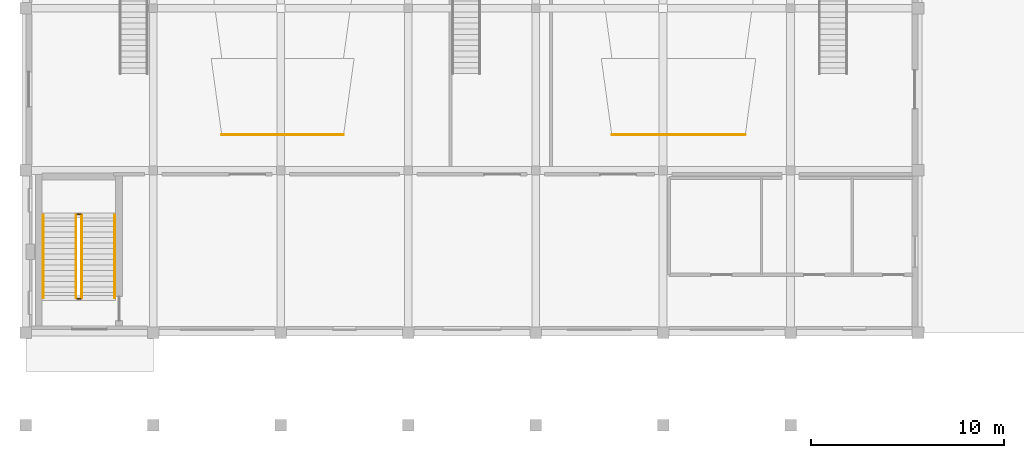
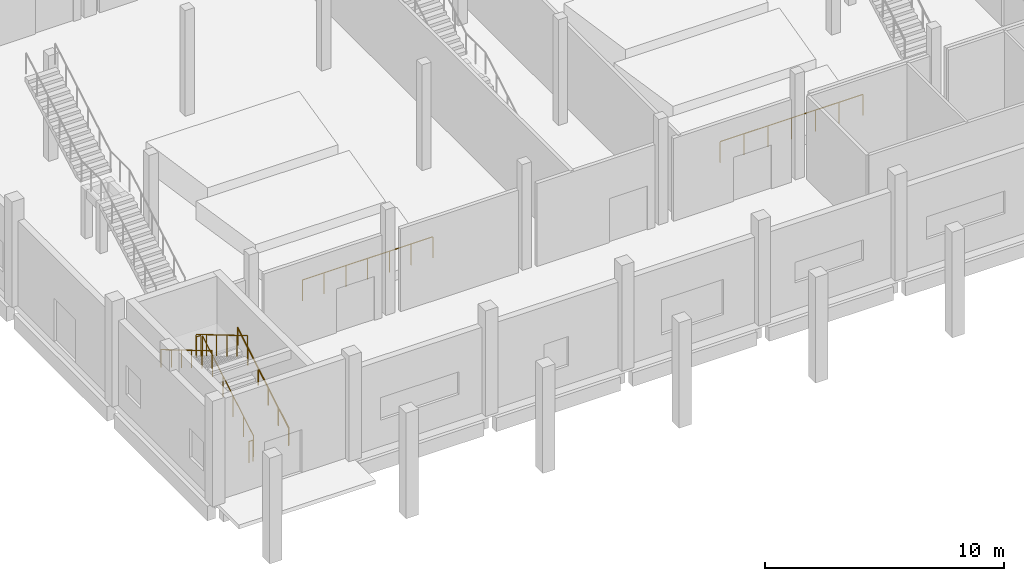
# One storey, part 55 of 64: 8 railings.
"""IFC4 building model written with IfcOpenShell, lengths in metres."""

from ifc_helpers import new_model, si_unit, direction, frame, origin, origin_2d, place, context, subcontext, project, spatial, circle, extrude, material, type_object, element, save


model = new_model("IFC4")

# Units and contexts
model_context = context("Model", 3, precision=1e-05, world=origin(), true_north=direction((0.0, 1.0)))
body_context = subcontext(model_context, "Body", "Model", "MODEL_VIEW")
ifc_project = project(units=[si_unit("LENGTHUNIT", "METRE"), si_unit("AREAUNIT", "SQUARE_METRE"), si_unit("VOLUMEUNIT", "CUBIC_METRE"), si_unit("PLANEANGLEUNIT", "RADIAN"), si_unit("MASSUNIT", "GRAM", prefix="KILO")], contexts=[model_context])

# Site, building, storey
site_placement = place(None, origin())
site = spatial("IfcSite", under=ifc_project, at=site_placement, CompositionType="ELEMENT")
building_placement = place(site_placement, origin())
building = spatial("IfcBuilding", under=site, at=building_placement, Name="Qaldarim Faculty of Natural and Applied Sciences", CompositionType="ELEMENT")
storey_placement = place(building_placement, origin())
storey = spatial("IfcBuildingStorey", under=building, at=storey_placement, Name="L00", CompositionType="ELEMENT", Elevation=0.0)

# Railings
ifc_material = material(Name="Architectural stainless steel 316", Category="steel")
railing_type_1 = type_object("IfcRailingType", Name="GuardBalustrade-1100", PredefinedType="BALUSTRADE", material=ifc_material)
railing_1_placement = place(storey_placement, frame((10.14990234375, 27.050048828125, 0.47998046875)))
element("IfcRailing", 1, at=railing_1_placement, inside=storey, type_object=railing_type_1, Name="Safety guard balustrade GRD-TIER-L00-1", PredefinedType="BALUSTRADE", context=body_context, shape_type="SweptSolid", body=[
    extrude(circle(Radius=0.02392578125, at=origin_2d()), frame((0.0, 0.0, 1.076171875), z_axis=(1.0, 0.0, 0.0), x_axis=(0.0, 1.0, 0.0)), (0.0, 0.0, 1.0), 6.300048828125),
    extrude(circle(Radius=0.02099609375, at=origin_2d()), origin(), (0.0, 0.0, 1.0), 1.052001953125),
    extrude(circle(Radius=0.02099609375, at=origin_2d()), frame((1.050048828125, 0.0, 0.0)), (0.0, 0.0, 1.0), 1.052001953125),
    extrude(circle(Radius=0.02099609375, at=origin_2d()), frame((2.10009765625, 0.0, 0.0)), (0.0, 0.0, 1.0), 1.052001953125),
    extrude(circle(Radius=0.02099609375, at=origin_2d()), frame((3.14990234375, 0.0, 0.0)), (0.0, 0.0, 1.0), 1.052001953125),
    extrude(circle(Radius=0.02099609375, at=origin_2d()), frame((4.199951171875, 0.0, 0.0)), (0.0, 0.0, 1.0), 1.052001953125),
    extrude(circle(Radius=0.02099609375, at=origin_2d()), frame((5.25, 0.0, 0.0)), (0.0, 0.0, 1.0), 1.052001953125),
    extrude(circle(Radius=0.02099609375, at=origin_2d()), frame((6.300048828125, 0.0, 0.0)), (0.0, 0.0, 1.0), 1.052001953125),
])
railing_2_placement = place(storey_placement, frame((30.35009765625, 27.050048828125, 0.47998046875)))
element("IfcRailing", 2, at=railing_2_placement, inside=storey, type_object=railing_type_1, Name="Safety guard balustrade GRD-TIER-L00-2", PredefinedType="BALUSTRADE", context=body_context, shape_type="SweptSolid", body=[
    extrude(circle(Radius=0.02392578125, at=origin_2d()), frame((0.0, 0.0, 1.076171875), z_axis=(1.0, 0.0, 0.0), x_axis=(0.0, 1.0, 0.0)), (0.0, 0.0, 1.0), 6.89990234375),
    extrude(circle(Radius=0.02099609375, at=origin_2d()), origin(), (0.0, 0.0, 1.0), 1.052001953125),
    extrude(circle(Radius=0.02099609375, at=origin_2d()), frame((1.14990234375, 0.0, 0.0)), (0.0, 0.0, 1.0), 1.052001953125),
    extrude(circle(Radius=0.02099609375, at=origin_2d()), frame((2.300048828125, 0.0, 0.0)), (0.0, 0.0, 1.0), 1.052001953125),
    extrude(circle(Radius=0.02099609375, at=origin_2d()), frame((3.449951171875, 0.0, 0.0)), (0.0, 0.0, 1.0), 1.052001953125),
    extrude(circle(Radius=0.02099609375, at=origin_2d()), frame((4.599853515625, 0.0, 0.0)), (0.0, 0.0, 1.0), 1.052001953125),
    extrude(circle(Radius=0.02099609375, at=origin_2d()), frame((5.75, 0.0, 0.0)), (0.0, 0.0, 1.0), 1.052001953125),
    extrude(circle(Radius=0.02099609375, at=origin_2d()), frame((6.89990234375, 0.0, 0.0)), (0.0, 0.0, 1.0), 1.052001953125),
])
railing_3_placement = place(storey_placement, frame((2.89990234375, 18.60009765625, 0.169921875)))
element("IfcRailing", 3, at=railing_3_placement, inside=storey, type_object=railing_type_1, Name="ST-D1 L00 stair well guard 1", PredefinedType="BALUSTRADE", context=body_context, shape_type="SweptSolid", body=[
    extrude(circle(Radius=0.02392578125, at=origin_2d()), frame((0.0, 0.0, 1.076171875), z_axis=(0.0, 0.860578001716, 0.509318665436), x_axis=(-1.0, 0.0, 0.0)), (0.0, 0.0, 1.0), 4.967529296875),
    extrude(circle(Radius=0.02099609375, at=origin_2d()), origin(), (0.0, 0.0, 1.0), 1.052001953125),
    extrude(circle(Radius=0.02099609375, at=origin_2d()), frame((0.0, 0.85498046875, 0.506103515625)), (0.0, 0.0, 1.0), 1.052001953125),
    extrude(circle(Radius=0.02099609375, at=origin_2d()), frame((0.0, 1.7099609375, 1.011962890625)), (0.0, 0.0, 1.0), 1.052001953125),
    extrude(circle(Radius=0.02099609375, at=origin_2d()), frame((0.0, 2.56494140625, 1.51806640625)), (0.0, 0.0, 1.0), 1.052001953125),
    extrude(circle(Radius=0.02099609375, at=origin_2d()), frame((0.0, 3.419921875, 2.02392578125)), (0.0, 0.0, 1.0), 1.052001953125),
    extrude(circle(Radius=0.02099609375, at=origin_2d()), frame((0.0, 4.27490234375, 2.530029296875)), (0.0, 0.0, 1.0), 1.052001953125),
])
railing_4_placement = place(storey_placement, frame((2.85009765625, 22.925048828125, 2.699951171875)))
element("IfcRailing", 4, at=railing_4_placement, inside=storey, type_object=railing_type_1, Name="ST-D1 L00 stair well guard 2", PredefinedType="BALUSTRADE", context=body_context, shape_type="SweptSolid", body=[
    extrude(circle(Radius=0.02392578125, at=origin_2d()), frame((0.0, 0.0, 1.076171875), z_axis=(-1.0, 0.0, 0.0), x_axis=(0.0, -1.0, 0.0)), (0.0, 0.0, 1.0), 0.2001953125),
    extrude(circle(Radius=0.02099609375, at=origin_2d()), origin(), (0.0, 0.0, 1.0), 1.052001953125),
    extrude(circle(Radius=0.02099609375, at=origin_2d()), frame((-0.2001953125, 0.0, 0.0)), (0.0, 0.0, 1.0), 1.052001953125),
])
railing_5_placement = place(storey_placement, frame((2.60009765625, 22.875, 2.8701171875)))
element("IfcRailing", 5, at=railing_5_placement, inside=storey, type_object=railing_type_1, Name="ST-D1 L00 stair well guard 3", PredefinedType="BALUSTRADE", context=body_context, shape_type="SweptSolid", body=[
    extrude(circle(Radius=0.02392578125, at=origin_2d()), frame((0.0, 0.0, 1.076171875), z_axis=(0.0, -0.860599543382, 0.509282265478), x_axis=(1.0, 0.0, 0.0)), (0.0, 0.0, 1.0), 4.96728515625),
    extrude(circle(Radius=0.02099609375, at=origin_2d()), origin(), (0.0, 0.0, 1.0), 1.052001953125),
    extrude(circle(Radius=0.02099609375, at=origin_2d()), frame((0.0, -0.85498046875, 0.505859375)), (0.0, 0.0, 1.0), 1.052001953125),
    extrude(circle(Radius=0.02099609375, at=origin_2d()), frame((0.0, -1.7099609375, 1.011962890625)), (0.0, 0.0, 1.0), 1.052001953125),
    extrude(circle(Radius=0.02099609375, at=origin_2d()), frame((0.0, -2.56494140625, 1.517822265625)), (0.0, 0.0, 1.0), 1.052001953125),
    extrude(circle(Radius=0.02099609375, at=origin_2d()), frame((0.0, -3.419921875, 2.02392578125)), (0.0, 0.0, 1.0), 1.052001953125),
    extrude(circle(Radius=0.02099609375, at=origin_2d()), frame((0.0, -4.27490234375, 2.52978515625)), (0.0, 0.0, 1.0), 1.052001953125),
])
railing_6_placement = place(storey_placement, frame((2.85009765625, 18.550048828125, 0.0)))
element("IfcRailing", 6, at=railing_6_placement, inside=storey, type_object=railing_type_1, Name="ST-D1 L00 stair well guard 4", PredefinedType="BALUSTRADE", context=body_context, shape_type="SweptSolid", body=[
    extrude(circle(Radius=0.02392578125, at=origin_2d()), frame((0.0, 0.0, 1.076171875), z_axis=(-1.0, 0.0, 0.0), x_axis=(0.0, -1.0, 0.0)), (0.0, 0.0, 1.0), 0.2001953125),
    extrude(circle(Radius=0.02099609375, at=origin_2d()), origin(), (0.0, 0.0, 1.0), 1.052001953125),
    extrude(circle(Radius=0.02099609375, at=origin_2d()), frame((-0.2001953125, 0.0, 0.0)), (0.0, 0.0, 1.0), 1.052001953125),
])
railing_type_2 = type_object("IfcRailingType", Name="StairHandrail-920", PredefinedType="HANDRAIL", material=ifc_material)
railing_7_placement = place(storey_placement, frame((4.60009765625, 18.60009765625, 0.169921875)))
element("IfcRailing", 7, at=railing_7_placement, inside=storey, type_object=railing_type_2, Name="ST-D1 L00 stair handrail 1", PredefinedType="HANDRAIL", context=body_context, shape_type="SweptSolid", body=[
    extrude(circle(Radius=0.02392578125, at=origin_2d()), frame((0.0, 0.0, 0.89599609375), z_axis=(0.0, 0.860578001716, 0.509318665436), x_axis=(-1.0, 0.0, 0.0)), (0.0, 0.0, 1.0), 4.967529296875),
    extrude(circle(Radius=0.02099609375, at=origin_2d()), origin(), (0.0, 0.0, 1.0), 0.871826171875),
    extrude(circle(Radius=0.02099609375, at=origin_2d()), frame((0.0, 0.85498046875, 0.506103515625)), (0.0, 0.0, 1.0), 0.871826171875),
    extrude(circle(Radius=0.02099609375, at=origin_2d()), frame((0.0, 1.7099609375, 1.011962890625)), (0.0, 0.0, 1.0), 0.871826171875),
    extrude(circle(Radius=0.02099609375, at=origin_2d()), frame((0.0, 2.56494140625, 1.51806640625)), (0.0, 0.0, 1.0), 0.871826171875),
    extrude(circle(Radius=0.02099609375, at=origin_2d()), frame((0.0, 3.419921875, 2.02392578125)), (0.0, 0.0, 1.0), 0.871826171875),
    extrude(circle(Radius=0.02099609375, at=origin_2d()), frame((0.0, 4.27490234375, 2.530029296875)), (0.0, 0.0, 1.0), 0.871826171875),
])
railing_8_placement = place(storey_placement, frame((0.89990234375, 22.875, 2.8701171875)))
element("IfcRailing", 8, at=railing_8_placement, inside=storey, type_object=railing_type_2, Name="ST-D1 L00 stair handrail 2", PredefinedType="HANDRAIL", context=body_context, shape_type="SweptSolid", body=[
    extrude(circle(Radius=0.02392578125, at=origin_2d()), frame((0.0, 0.0, 0.89599609375), z_axis=(0.0, -0.860599543382, 0.509282265478), x_axis=(1.0, 0.0, 0.0)), (0.0, 0.0, 1.0), 4.96728515625),
    extrude(circle(Radius=0.02099609375, at=origin_2d()), origin(), (0.0, 0.0, 1.0), 0.871826171875),
    extrude(circle(Radius=0.02099609375, at=origin_2d()), frame((0.0, -0.85498046875, 0.505859375)), (0.0, 0.0, 1.0), 0.871826171875),
    extrude(circle(Radius=0.02099609375, at=origin_2d()), frame((0.0, -1.7099609375, 1.011962890625)), (0.0, 0.0, 1.0), 0.871826171875),
    extrude(circle(Radius=0.02099609375, at=origin_2d()), frame((0.0, -2.56494140625, 1.517822265625)), (0.0, 0.0, 1.0), 0.871826171875),
    extrude(circle(Radius=0.02099609375, at=origin_2d()), frame((0.0, -3.419921875, 2.02392578125)), (0.0, 0.0, 1.0), 0.871826171875),
    extrude(circle(Radius=0.02099609375, at=origin_2d()), frame((0.0, -4.27490234375, 2.52978515625)), (0.0, 0.0, 1.0), 0.871826171875),
])

save(model, "model.ifc")
